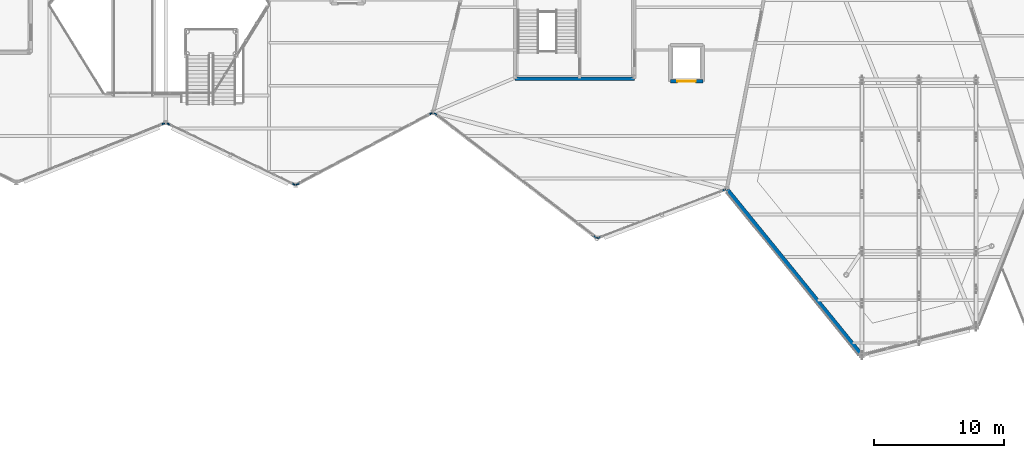
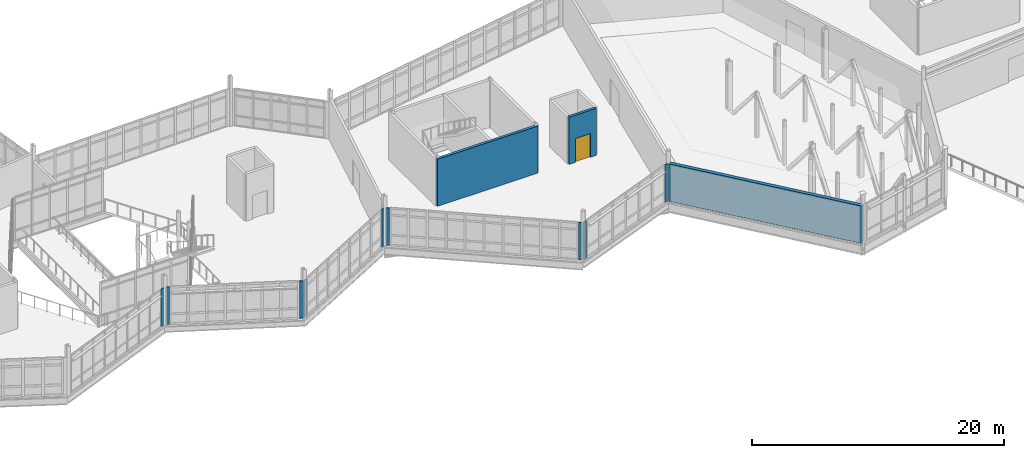
# One storey, part 90 of 114: 12 walls, 1 door, 1 opening.
"""IFC4 building model written with IfcOpenShell, lengths in metres."""

from ifc_helpers import new_model, si_unit, direction, frame, frame_2d, origin, place, context, subcontext, project, spatial, rectangle, extrude, material, layer, layer_set, type_object, element, fill, save


model = new_model("IFC4")

# Units and contexts
model_context = context("Model", 3, precision=1e-05, world=origin(), true_north=direction((0.0, 1.0)))
body_context = subcontext(model_context, "Body", "Model", "MODEL_VIEW")
ifc_project = project(units=[si_unit("LENGTHUNIT", "METRE"), si_unit("AREAUNIT", "SQUARE_METRE"), si_unit("VOLUMEUNIT", "CUBIC_METRE"), si_unit("PLANEANGLEUNIT", "RADIAN"), si_unit("MASSUNIT", "GRAM", prefix="KILO")], contexts=[model_context])

# Site, building, storey
site_placement = place(None, origin())
site = spatial("IfcSite", under=ifc_project, at=site_placement, CompositionType="ELEMENT")
building_placement = place(site_placement, origin())
building = spatial("IfcBuilding", under=site, at=building_placement, Name="Tameran Prism Museum", CompositionType="ELEMENT")
storey_placement = place(building_placement, frame((0.0, 0.0, 10.199951171875)))
storey = spatial("IfcBuildingStorey", under=building, at=storey_placement, Name="L02", CompositionType="ELEMENT", Elevation=10.199951171875)

# Walls
ifc_material_1 = material(Name="Precast Concrete N40 (40 MPa)", Category="concrete")
ifc_layer_1 = layer(ifc_material_1, 0.094970703125)
ifc_layer_set_1 = layer_set([ifc_layer_1])
wall_type_1 = type_object("IfcWallType", Name="EW-CLOS-095", PredefinedType="SOLIDWALL", material=ifc_layer_set_1)
for number, where, z_axis, x_axis, name in (
    (1, (77.405029296875, 27.362060546875, 0.0), (0.0, 0.0, 1.0), (-0.928967856381, -0.370160400111, 0.0), "Facade Corner Closure EW-0296"),
    (2, (87.4619140625, 22.617919921875, 0.0), (0.0, 0.0, 1.0), (-0.901906089125, 0.431932178008, 0.0), "Facade Corner Closure EW-0300"),
):
    element("IfcWall", number, at=place(storey_placement, frame(where, z_axis=z_axis, x_axis=x_axis)), inside=storey, type_object=wall_type_1, Name=name, PredefinedType="SOLIDWALL", context=body_context, shape_type="SweptSolid", body=[
        extrude(rectangle(XDim=0.30810546875, YDim=0.094970703125, at=frame_2d((0.154052734375, 0.0))), origin(), (0.0, 0.0, 1.0), 3.6201171875),
    ])
wall_1_placement = place(storey_placement, frame((77.8701171875, 27.222900390625, 0.0), z_axis=(0.0, 0.0, 1.0), x_axis=(-0.902053790555, 0.431623631126, 0.0)))
element("IfcWall", 3, at=wall_1_placement, inside=storey, type_object=wall_type_1, Name="Facade Corner Closure EW-0301", PredefinedType="SOLIDWALL", context=body_context, shape_type="SweptSolid", body=[
    extrude(rectangle(XDim=0.308349609375, YDim=0.094970703125, at=frame_2d((0.154296875, 0.0))), origin(), (0.0, 0.0, 1.0), 3.6201171875),
])
wall_2_placement = place(storey_placement, frame((98.010009765625, 28.152099609375, 0.0), z_axis=(0.0, 0.0, 1.0), x_axis=(-0.885021600209, -0.465549962049, 0.0)))
element("IfcWall", 4, at=wall_2_placement, inside=storey, type_object=wall_type_1, Name="Facade Corner Closure EW-0302", PredefinedType="SOLIDWALL", context=body_context, shape_type="SweptSolid", body=[
    extrude(rectangle(XDim=0.307373046875, YDim=0.094970703125, at=frame_2d((0.15380859375, 0.0))), origin(), (0.0, 0.0, 1.0), 3.6201171875),
])
wall_3_placement = place(storey_placement, frame((87.80908203125, 22.762939453125, 0.0), z_axis=(0.0, 0.0, 1.0), x_axis=(-0.885348834604, -0.464927350308, 0.0)))
element("IfcWall", 5, at=wall_3_placement, inside=storey, type_object=wall_type_1, Name="Facade Corner Closure EW-0303", PredefinedType="SOLIDWALL", context=body_context, shape_type="SweptSolid", body=[
    extrude(rectangle(XDim=0.30712890625, YDim=0.094970703125, at=frame_2d((0.153564453125, 0.0))), origin(), (0.0, 0.0, 1.0), 3.6201171875),
])
wall_4_placement = place(storey_placement, frame((110.6669921875, 18.52587890625, 0.0), z_axis=(0.0, 0.0, 1.0), x_axis=(-0.79356800352, 0.608481572268, 0.0)))
element("IfcWall", 6, at=wall_4_placement, inside=storey, type_object=wall_type_1, Name="Facade Corner Closure EW-0314", PredefinedType="SOLIDWALL", context=body_context, shape_type="SweptSolid", body=[
    extrude(rectangle(XDim=0.307373046875, YDim=0.094970703125, at=frame_2d((0.15380859375, 0.0))), origin(), (0.0, 0.0, 1.0), 3.6201171875),
])
wall_5_placement = place(storey_placement, frame((98.424072265625, 27.949951171875, 0.0), z_axis=(0.0, 0.0, 1.0), x_axis=(-0.793861838141, 0.608098168016, 0.0)))
element("IfcWall", 7, at=wall_5_placement, inside=storey, type_object=wall_type_1, Name="Facade Corner Closure EW-0315", PredefinedType="SOLIDWALL", context=body_context, shape_type="SweptSolid", body=[
    extrude(rectangle(XDim=0.3076171875, YDim=0.094970703125, at=frame_2d((0.15380859375, 0.0))), origin(), (0.0, 0.0, 1.0), 3.6201171875),
])
wall_6_placement = place(storey_placement, frame((120.60498046875, 22.263916015625, 0.0), z_axis=(0.0, 0.0, 1.0), x_axis=(-0.935413842844, -0.353554723651, 0.0)))
element("IfcWall", 8, at=wall_6_placement, inside=storey, type_object=wall_type_1, Name="Facade Corner Closure EW-0316", PredefinedType="SOLIDWALL", context=body_context, shape_type="SweptSolid", body=[
    extrude(rectangle(XDim=0.307861328125, YDim=0.094970703125, at=frame_2d((0.15380859375, 0.0))), origin(), (0.0, 0.0, 1.0), 3.6201171875),
])
wall_7_placement = place(storey_placement, frame((111.027099609375, 18.6240234375, 0.0), z_axis=(0.0, 0.0, 1.0), x_axis=(-0.935151489811, -0.354248064361, 0.0)))
element("IfcWall", 9, at=wall_7_placement, inside=storey, type_object=wall_type_1, Name="Facade Corner Closure EW-0317", PredefinedType="SOLIDWALL", context=body_context, shape_type="SweptSolid", body=[
    extrude(rectangle(XDim=0.30810546875, YDim=0.094970703125, at=frame_2d((0.154052734375, 0.0))), origin(), (0.0, 0.0, 1.0), 3.6201171875),
])
ifc_material_2 = material(Name="Precast Concrete N40 (40 MPa)", Category="concrete")
ifc_layer_2 = layer(ifc_material_2, 0.31494140625)
ifc_layer_set_2 = layer_set([ifc_layer_2])
wall_type_2 = type_object("IfcWallType", Name="EW-GAL-315", PredefinedType="SOLIDWALL", material=ifc_layer_set_2)
wall_8_placement = place(storey_placement, frame((131.10009765625, 9.5, 0.0), z_axis=(0.0, 0.0, 1.0), x_axis=(-0.630603811976, 0.776104910641, 0.0)))
element("IfcWall", 10, at=wall_8_placement, inside=storey, type_object=wall_type_2, Name="Exterior Fluted Precast Wall EW-0322", PredefinedType="SOLIDWALL", context=body_context, shape_type="SweptSolid", body=[
    extrude(rectangle(XDim=16.431884765625, YDim=0.31494140625, at=frame_2d((8.2158203125, 0.0))), origin(), (0.0, 0.0, 1.0), 3.6201171875),
])
ifc_material_3 = material(Name="Concrete N40 (40 MPa)", Category="concrete")
ifc_layer_3 = layer(ifc_material_3, 0.25)
ifc_layer_set_3 = layer_set([ifc_layer_3])
wall_type_3 = type_object("IfcWallType", Name="IW-COR-250", PredefinedType="SHEAR", material=ifc_layer_set_3)
wall_9_placement = place(storey_placement, frame((113.60009765625, 30.800048828125, 0.0), z_axis=(0.0, 0.0, 1.0), x_axis=(-1.0, 0.0, 0.0)))
element("IfcWall", 11, at=wall_9_placement, inside=storey, type_object=wall_type_3, Name="Core Shear Wall CW-4-L02-S", PredefinedType="SHEAR", context=body_context, shape_type="SweptSolid", body=[
    extrude(rectangle(XDim=9.2001953125, YDim=0.25, at=frame_2d((4.60009765625, 0.0))), origin(), (0.0, 0.0, 1.0), 4.56005859375),
])

# Wall, opening, door
ifc_material_4 = material(Name="Concrete N40 (40 MPa)", Category="concrete")
ifc_layer_4 = layer(ifc_material_4, 0.239990234375)
ifc_layer_set_4 = layer_set([ifc_layer_4])
wall_type_4 = type_object("IfcWallType", Name="IW-LFT-240", PredefinedType="SHEAR", material=ifc_layer_set_4)
wall_10_placement = place(storey_placement, frame((118.85009765625, 30.60009765625, 0.0), z_axis=(0.0, 0.0, 1.0), x_axis=(-1.0, 0.0, 0.0)))
wall_10 = element("IfcWall", 12, at=wall_10_placement, inside=storey, type_object=wall_type_4, Name="Lift Shaft Wall LW-PL03-L02S", PredefinedType="SHEAR", context=body_context, shape_type="SweptSolid", body=[
    extrude(rectangle(XDim=2.5, YDim=0.239990234375, at=frame_2d((1.25, 0.0))), origin(), (0.0, 0.0, 1.0), 4.56005859375),
])
opening_placement = place(wall_10_placement, frame((0.550048828125, 0.0, 0.0)))
opening = element("IfcOpeningElement", 13, at=opening_placement, cuts=wall_10, Name="Opening LD-PL03-L02", PredefinedType="OPENING", context=body_context, shape_type="SweptSolid", body=[
    extrude(rectangle(XDim=1.39990234375, YDim=2.300048828125, at=frame_2d((0.699951171875, 1.14990234375))), frame((0.0, 0.1298828125, 0.0), z_axis=(0.0, -1.0, 0.0), x_axis=(1.0, 0.0, 0.0)), (0.0, 0.0, 1.0), 0.260009765625),
])
ifc_material_5 = material(Name="Fire-Rated Steel Door Leaf and Frame", Category="steel")
door_type = type_object("IfcDoorType", Name="DR-LD-PL2", OperationType="SLIDING_TO_LEFT", PredefinedType="DOOR", material=ifc_material_5)
door_placement = place(opening_placement, origin())
door = element("IfcDoor", 14, at=door_placement, inside=storey, type_object=door_type, Name="Passenger Lift PL-03 Landing Door L02", OperationType="SLIDING_TO_LEFT", OverallHeight=2.300048828125, OverallWidth=1.39990234375, PredefinedType="DOOR", context=body_context, shape_type="SweptSolid", body=[
    extrude(rectangle(XDim=1.39990234375, YDim=2.300048828125, at=frame_2d((0.699951171875, 1.14990234375))), frame((0.0, 0.02490234375, 0.0), z_axis=(0.0, -1.0, 0.0), x_axis=(1.0, 0.0, 0.0)), (0.0, 0.0, 1.0), 0.050048828125),
])
fill(opening, door)

save(model, "model.ifc")
